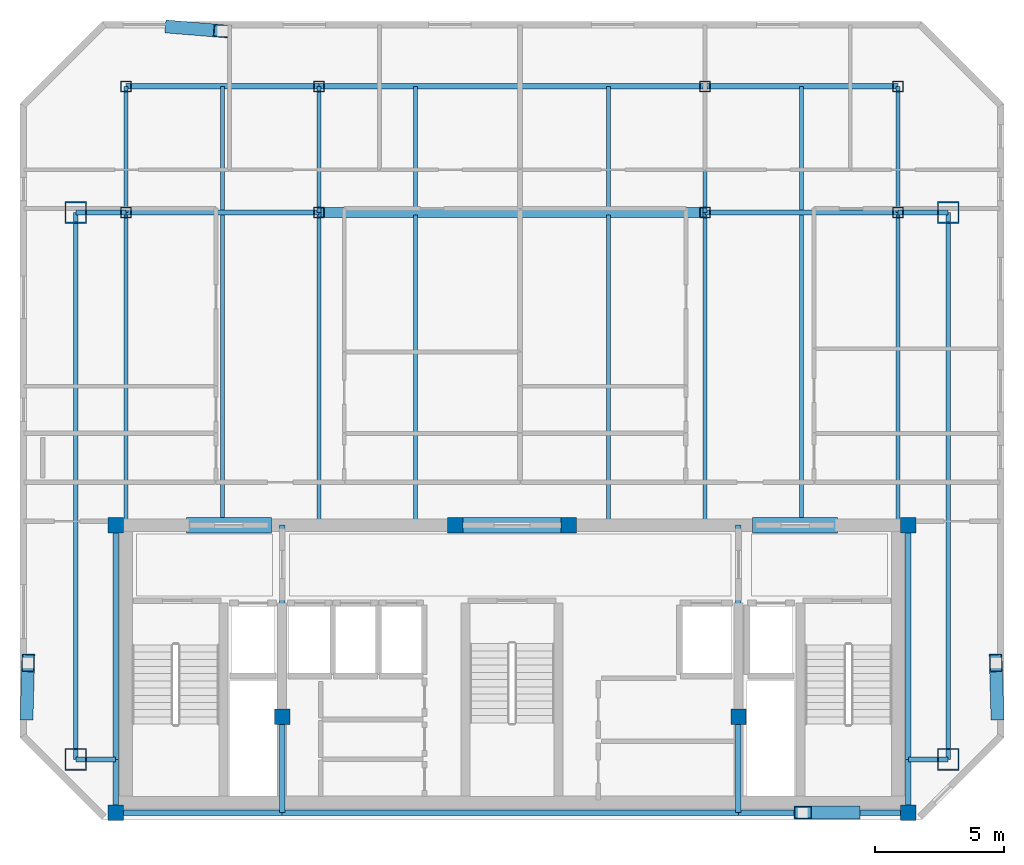
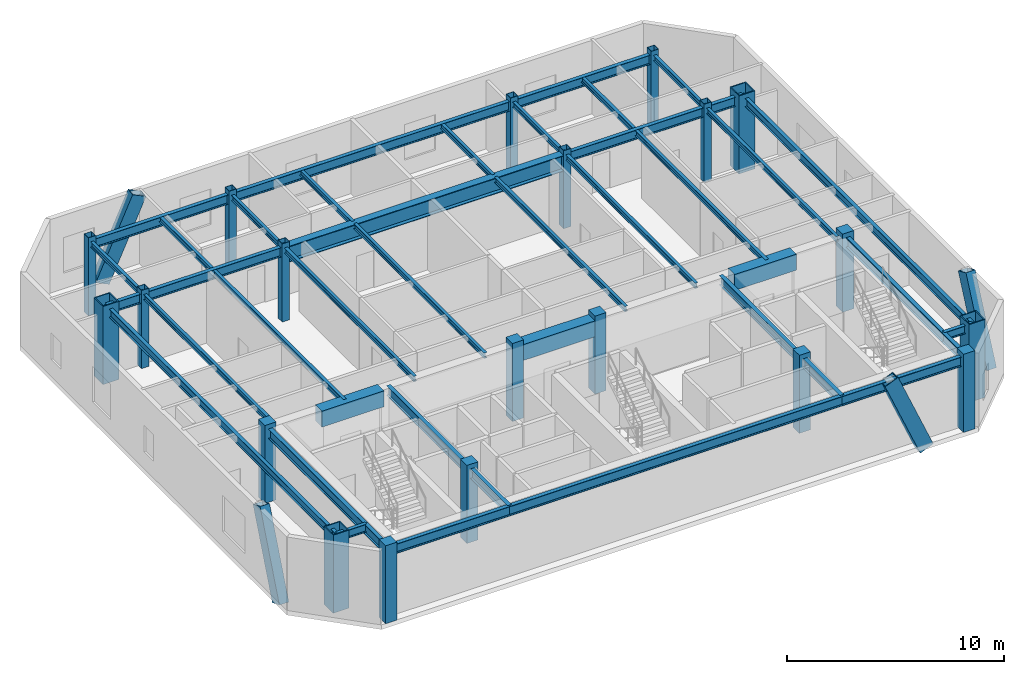
# One storey, part 1 of 7: 42 beams, 20 columns, 4 members.
"""IFC4 building model written with IfcOpenShell, lengths in metres."""

from ifc_helpers import new_model, si_unit, direction, frame, origin, origin_2d, place, context, subcontext, project, spatial, rectangle, hollow_rectangle, i_section, extrude, material, material_profile, profile_set, type_object, element, save


model = new_model("IFC4")

# Units and contexts
model_context = context("Model", 3, precision=1e-05, world=origin(), true_north=direction((0.0, 1.0)))
body_context = subcontext(model_context, "Body", "Model", "MODEL_VIEW")
ifc_project = project(units=[si_unit("LENGTHUNIT", "METRE"), si_unit("AREAUNIT", "SQUARE_METRE"), si_unit("VOLUMEUNIT", "CUBIC_METRE"), si_unit("PLANEANGLEUNIT", "RADIAN"), si_unit("MASSUNIT", "GRAM", prefix="KILO")], contexts=[model_context])

# Site, building, storey
site_placement = place(None, origin())
site = spatial("IfcSite", under=ifc_project, at=site_placement, CompositionType="ELEMENT")
building_placement = place(site_placement, origin())
building = spatial("IfcBuilding", under=site, at=building_placement, Name="Ventersveld Concourse Tower", CompositionType="ELEMENT")
storey_placement = place(building_placement, frame((0.0, 0.0, 353.449951171875)))
storey = spatial("IfcBuildingStorey", under=building, at=storey_placement, Name="L87", CompositionType="ELEMENT", Elevation=353.449951171875)

# Columns
ifc_material_1 = material(Name="Concrete C50/60", Category="concrete")
ifc_material_profile_1 = material_profile(ifc_material_1, rectangle(XDim=0.60009765625, YDim=0.60009765625, at=origin_2d()), Name="RC 600x600")
ifc_profile_set_1 = profile_set([ifc_material_profile_1], Name="Concrete C50/60")
column_type_1 = type_object("IfcColumnType", Name="COL-RC600", PredefinedType="COLUMN", material=ifc_profile_set_1)
for number, where, z_axis, x_axis, name in (
    (1, (13.35009765625, 0.280029296875, 0.0), (0.0, 0.0, 1.0), (1.0, 0.0, 0.0), "L87 Core Spine Column CC-SW"),
    (2, (44.14990234375, 0.280029296875, 0.0), (0.0, 0.0, 1.0), (1.0, 0.0, 0.0), "L87 Core Spine Column CC-SE"),
    (3, (13.35009765625, 11.449951171875, 0.0), (0.0, 0.0, 1.0), (1.0, 0.0, 0.0), "L87 Core Spine Column CC-NW"),
    (4, (44.14990234375, 11.449951171875, 0.0), (0.0, 0.0, 1.0), (1.0, 0.0, 0.0), "L87 Core Spine Column CC-NE"),
    (5, (19.820068359375, 4.0, 0.0), (0.0, 0.0, 1.0), (1.0, 0.0, 0.0), "L87 Core Spine Column CM-1"),
    (6, (37.550048828125, 4.0, 0.0), (0.0, 0.0, 1.0), (1.0, 0.0, 0.0), "L87 Core Spine Column CM-2"),
    (7, (26.550048828125, 11.449951171875, 0.0), (0.0, 0.0, 1.0), (1.0, 0.0, 0.0), "L87 Core Spine Column CM-3"),
    (8, (30.949951171875, 11.449951171875, 0.0), (0.0, 0.0, 1.0), (1.0, 0.0, 0.0), "L87 Core Spine Column CM-4"),
):
    element("IfcColumn", number, at=place(storey_placement, frame(where, z_axis=z_axis, x_axis=x_axis)), inside=storey, type_object=column_type_1, Name=name, PredefinedType="COLUMN", context=body_context, shape_type="SweptSolid", body=[
        extrude(rectangle(XDim=0.60009765625, YDim=0.60009765625, at=origin_2d()), origin(), (0.0, 0.0, 1.0), 4.400146484375),
    ])
ifc_material_2 = material(Name="Structural steel S355J2", Category="steel")
ifc_material_profile_2 = material_profile(ifc_material_2, hollow_rectangle(XDim=0.39990234375, YDim=0.39990234375, WallThickness=0.02001953125, at=origin_2d()), Name="SHS 400x400x20")
ifc_profile_set_2 = profile_set([ifc_material_profile_2], Name="Structural steel S355J2")
column_type_2 = type_object("IfcColumnType", Name="COL-SHS400", PredefinedType="COLUMN", material=ifc_profile_set_2)
for number, where, z_axis, x_axis, name in (
    (9, (13.75, 23.60009765625, 0.0), (0.0, 0.0, 1.0), (1.0, 0.0, 0.0), "L87 Interior Gravity Column X=13.75 Y=23.60"),
    (10, (21.25, 23.60009765625, 0.0), (0.0, 0.0, 1.0), (1.0, 0.0, 0.0), "L87 Interior Gravity Column X=21.25 Y=23.60"),
    (11, (36.25, 23.60009765625, 0.0), (0.0, 0.0, 1.0), (1.0, 0.0, 0.0), "L87 Interior Gravity Column X=36.25 Y=23.60"),
    (12, (43.75, 23.60009765625, 0.0), (0.0, 0.0, 1.0), (1.0, 0.0, 0.0), "L87 Interior Gravity Column X=43.75 Y=23.60"),
    (13, (13.75, 28.5, 0.0), (0.0, 0.0, 1.0), (1.0, 0.0, 0.0), "L87 Upper-North Gravity Column X=13.75 Y=28.50"),
    (14, (21.25, 28.5, 0.0), (0.0, 0.0, 1.0), (1.0, 0.0, 0.0), "L87 Upper-North Gravity Column X=21.25 Y=28.50"),
    (15, (36.25, 28.5, 0.0), (0.0, 0.0, 1.0), (1.0, 0.0, 0.0), "L87 Upper-North Gravity Column X=36.25 Y=28.50"),
    (16, (43.75, 28.5, 0.0), (0.0, 0.0, 1.0), (1.0, 0.0, 0.0), "L87 Upper-North Gravity Column X=43.75 Y=28.50"),
):
    element("IfcColumn", number, at=place(storey_placement, frame(where, z_axis=z_axis, x_axis=x_axis)), inside=storey, type_object=column_type_2, Name=name, PredefinedType="COLUMN", context=body_context, shape_type="SweptSolid", body=[
        extrude(hollow_rectangle(XDim=0.39990234375, YDim=0.39990234375, WallThickness=0.02001953125, at=origin_2d()), origin(), (0.0, 0.0, 1.0), 4.400146484375),
    ])
ifc_material_3 = material(Name="Structural steel S460ML", Category="steel")
ifc_material_profile_3 = material_profile(ifc_material_3, hollow_rectangle(XDim=0.85009765625, YDim=0.85009765625, WallThickness=0.050048828125, at=origin_2d()), Name="BOX 850x850x50")
ifc_profile_set_3 = profile_set([ifc_material_profile_3], Name="Structural steel S460ML")
column_type_3 = type_object("IfcColumnType", Name="MC-850", PredefinedType="USERDEFINED", material=ifc_profile_set_3)
for number, where, z_axis, x_axis, name in (
    (17, (11.800048828125, 2.35009765625, 0.0), (0.0, 0.0, 1.0), (1.0, 0.0, 0.0), "L87 Corner Mega-Column MC-SW"),
    (18, (45.699951171875, 2.35009765625, 0.0), (0.0, 0.0, 1.0), (1.0, 0.0, 0.0), "L87 Corner Mega-Column MC-SE"),
    (19, (45.699951171875, 23.60009765625, 0.0), (0.0, 0.0, 1.0), (1.0, 0.0, 0.0), "L87 Corner Mega-Column MC-NE"),
    (20, (11.800048828125, 23.60009765625, 0.0), (0.0, 0.0, 1.0), (1.0, 0.0, 0.0), "L87 Corner Mega-Column MC-NW"),
):
    element("IfcColumn", number, at=place(storey_placement, frame(where, z_axis=z_axis, x_axis=x_axis)), inside=storey, type_object=column_type_3, Name=name, ObjectType="MEGA_COLUMN", PredefinedType="USERDEFINED", context=body_context, shape_type="SweptSolid", body=[
        extrude(hollow_rectangle(XDim=0.85009765625, YDim=0.85009765625, WallThickness=0.050048828125, at=origin_2d()), origin(), (0.0, 0.0, 1.0), 4.400146484375),
    ])

# Beams
ifc_material_profile_4 = material_profile(ifc_material_2, i_section(OverallWidth=0.1650390625, OverallDepth=0.303466796875, WebThickness=0.006103515625, FlangeThickness=0.01025390625, FilletRadius=0.0087890625, at=origin_2d()), Name="UB 305x165x40")
ifc_profile_set_4 = profile_set([ifc_material_profile_4], Name="Structural steel S355J2")
beam_type_1 = type_object("IfcBeamType", Name="BM-UB305", PredefinedType="BEAM", material=ifc_profile_set_4)
beam_1_placement = place(storey_placement, frame((13.75, 11.449951171875, 3.98828125), z_axis=(0.0, 1.0, 0.0), x_axis=(-1.0, 0.0, 0.0)))
element("IfcBeam", 21, at=beam_1_placement, inside=storey, type_object=beam_type_1, Name="L87 N-S Composite Floor Beam South X=13.75", PredefinedType="BEAM", context=body_context, shape_type="SweptSolid", body=[
    extrude(i_section(OverallWidth=0.1650390625, OverallDepth=0.303466796875, WebThickness=0.006103515625, FlangeThickness=0.01025390625, FilletRadius=0.0087890625, at=origin_2d()), origin(), (0.0, 0.0, 1.0), 12.150146484375),
])
beam_2_placement = place(storey_placement, frame((13.75, 23.60009765625, 3.98828125), z_axis=(0.0, 1.0, 0.0), x_axis=(-1.0, 0.0, 0.0)))
element("IfcBeam", 22, at=beam_2_placement, inside=storey, type_object=beam_type_1, Name="L87 N-S Upper-Zone Floor Beam X=13.75", PredefinedType="BEAM", context=body_context, shape_type="SweptSolid", body=[
    extrude(i_section(OverallWidth=0.1650390625, OverallDepth=0.303466796875, WebThickness=0.006103515625, FlangeThickness=0.01025390625, FilletRadius=0.0087890625, at=origin_2d()), origin(), (0.0, 0.0, 1.0), 4.89990234375),
])
beam_3_placement = place(storey_placement, frame((17.5, 11.449951171875, 3.98828125), z_axis=(0.0, 1.0, 0.0), x_axis=(-1.0, 0.0, 0.0)))
element("IfcBeam", 23, at=beam_3_placement, inside=storey, type_object=beam_type_1, Name="L87 N-S Composite Floor Beam South X=17.50", PredefinedType="BEAM", context=body_context, shape_type="SweptSolid", body=[
    extrude(i_section(OverallWidth=0.1650390625, OverallDepth=0.303466796875, WebThickness=0.006103515625, FlangeThickness=0.01025390625, FilletRadius=0.0087890625, at=origin_2d()), origin(), (0.0, 0.0, 1.0), 12.054931640625),
])
beam_4_placement = place(storey_placement, frame((17.5, 23.695068359375, 3.98828125), z_axis=(0.0, 1.0, 0.0), x_axis=(-1.0, 0.0, 0.0)))
element("IfcBeam", 24, at=beam_4_placement, inside=storey, type_object=beam_type_1, Name="L87 N-S Upper-Zone Floor Beam X=17.50", PredefinedType="BEAM", context=body_context, shape_type="SweptSolid", body=[
    extrude(i_section(OverallWidth=0.1650390625, OverallDepth=0.303466796875, WebThickness=0.006103515625, FlangeThickness=0.01025390625, FilletRadius=0.0087890625, at=origin_2d()), origin(), (0.0, 0.0, 1.0), 4.804931640625),
])
beam_5_placement = place(storey_placement, frame((21.25, 11.449951171875, 3.98828125), z_axis=(0.0, 1.0, 0.0), x_axis=(-1.0, 0.0, 0.0)))
element("IfcBeam", 25, at=beam_5_placement, inside=storey, type_object=beam_type_1, Name="L87 N-S Composite Floor Beam South X=21.25", PredefinedType="BEAM", context=body_context, shape_type="SweptSolid", body=[
    extrude(i_section(OverallWidth=0.1650390625, OverallDepth=0.303466796875, WebThickness=0.006103515625, FlangeThickness=0.01025390625, FilletRadius=0.0087890625, at=origin_2d()), origin(), (0.0, 0.0, 1.0), 12.150146484375),
])
beam_6_placement = place(storey_placement, frame((21.25, 23.60009765625, 3.98828125), z_axis=(0.0, 1.0, 0.0), x_axis=(-1.0, 0.0, 0.0)))
element("IfcBeam", 26, at=beam_6_placement, inside=storey, type_object=beam_type_1, Name="L87 N-S Upper-Zone Floor Beam X=21.25", PredefinedType="BEAM", context=body_context, shape_type="SweptSolid", body=[
    extrude(i_section(OverallWidth=0.1650390625, OverallDepth=0.303466796875, WebThickness=0.006103515625, FlangeThickness=0.01025390625, FilletRadius=0.0087890625, at=origin_2d()), origin(), (0.0, 0.0, 1.0), 4.89990234375),
])
beam_7_placement = place(storey_placement, frame((25.0, 11.449951171875, 3.98828125), z_axis=(0.0, 1.0, 0.0), x_axis=(-1.0, 0.0, 0.0)))
element("IfcBeam", 27, at=beam_7_placement, inside=storey, type_object=beam_type_1, Name="L87 N-S Composite Floor Beam South X=25.00", PredefinedType="BEAM", context=body_context, shape_type="SweptSolid", body=[
    extrude(i_section(OverallWidth=0.1650390625, OverallDepth=0.303466796875, WebThickness=0.006103515625, FlangeThickness=0.01025390625, FilletRadius=0.0087890625, at=origin_2d()), origin(), (0.0, 0.0, 1.0), 12.054931640625),
])
beam_8_placement = place(storey_placement, frame((25.0, 23.695068359375, 3.98828125), z_axis=(0.0, 1.0, 0.0), x_axis=(-1.0, 0.0, 0.0)))
element("IfcBeam", 28, at=beam_8_placement, inside=storey, type_object=beam_type_1, Name="L87 N-S Upper-Zone Floor Beam X=25.00", PredefinedType="BEAM", context=body_context, shape_type="SweptSolid", body=[
    extrude(i_section(OverallWidth=0.1650390625, OverallDepth=0.303466796875, WebThickness=0.006103515625, FlangeThickness=0.01025390625, FilletRadius=0.0087890625, at=origin_2d()), origin(), (0.0, 0.0, 1.0), 4.804931640625),
])
beam_9_placement = place(storey_placement, frame((32.5, 11.449951171875, 3.98828125), z_axis=(0.0, 1.0, 0.0), x_axis=(-1.0, 0.0, 0.0)))
element("IfcBeam", 29, at=beam_9_placement, inside=storey, type_object=beam_type_1, Name="L87 N-S Composite Floor Beam South X=32.50", PredefinedType="BEAM", context=body_context, shape_type="SweptSolid", body=[
    extrude(i_section(OverallWidth=0.1650390625, OverallDepth=0.303466796875, WebThickness=0.006103515625, FlangeThickness=0.01025390625, FilletRadius=0.0087890625, at=origin_2d()), origin(), (0.0, 0.0, 1.0), 12.054931640625),
])
beam_10_placement = place(storey_placement, frame((32.5, 23.695068359375, 3.98828125), z_axis=(0.0, 1.0, 0.0), x_axis=(-1.0, 0.0, 0.0)))
element("IfcBeam", 30, at=beam_10_placement, inside=storey, type_object=beam_type_1, Name="L87 N-S Upper-Zone Floor Beam X=32.50", PredefinedType="BEAM", context=body_context, shape_type="SweptSolid", body=[
    extrude(i_section(OverallWidth=0.1650390625, OverallDepth=0.303466796875, WebThickness=0.006103515625, FlangeThickness=0.01025390625, FilletRadius=0.0087890625, at=origin_2d()), origin(), (0.0, 0.0, 1.0), 4.804931640625),
])
beam_11_placement = place(storey_placement, frame((36.25, 11.449951171875, 3.98828125), z_axis=(0.0, 1.0, 0.0), x_axis=(-1.0, 0.0, 0.0)))
element("IfcBeam", 31, at=beam_11_placement, inside=storey, type_object=beam_type_1, Name="L87 N-S Composite Floor Beam South X=36.25", PredefinedType="BEAM", context=body_context, shape_type="SweptSolid", body=[
    extrude(i_section(OverallWidth=0.1650390625, OverallDepth=0.303466796875, WebThickness=0.006103515625, FlangeThickness=0.01025390625, FilletRadius=0.0087890625, at=origin_2d()), origin(), (0.0, 0.0, 1.0), 12.150146484375),
])
beam_12_placement = place(storey_placement, frame((36.25, 23.60009765625, 3.98828125), z_axis=(0.0, 1.0, 0.0), x_axis=(-1.0, 0.0, 0.0)))
element("IfcBeam", 32, at=beam_12_placement, inside=storey, type_object=beam_type_1, Name="L87 N-S Upper-Zone Floor Beam X=36.25", PredefinedType="BEAM", context=body_context, shape_type="SweptSolid", body=[
    extrude(i_section(OverallWidth=0.1650390625, OverallDepth=0.303466796875, WebThickness=0.006103515625, FlangeThickness=0.01025390625, FilletRadius=0.0087890625, at=origin_2d()), origin(), (0.0, 0.0, 1.0), 4.89990234375),
])
beam_13_placement = place(storey_placement, frame((40.0, 11.449951171875, 3.98828125), z_axis=(0.0, 1.0, 0.0), x_axis=(-1.0, 0.0, 0.0)))
element("IfcBeam", 33, at=beam_13_placement, inside=storey, type_object=beam_type_1, Name="L87 N-S Composite Floor Beam South X=40.00", PredefinedType="BEAM", context=body_context, shape_type="SweptSolid", body=[
    extrude(i_section(OverallWidth=0.1650390625, OverallDepth=0.303466796875, WebThickness=0.006103515625, FlangeThickness=0.01025390625, FilletRadius=0.0087890625, at=origin_2d()), origin(), (0.0, 0.0, 1.0), 12.054931640625),
])
beam_14_placement = place(storey_placement, frame((40.0, 23.695068359375, 3.98828125), z_axis=(0.0, 1.0, 0.0), x_axis=(-1.0, 0.0, 0.0)))
element("IfcBeam", 34, at=beam_14_placement, inside=storey, type_object=beam_type_1, Name="L87 N-S Upper-Zone Floor Beam X=40.00", PredefinedType="BEAM", context=body_context, shape_type="SweptSolid", body=[
    extrude(i_section(OverallWidth=0.1650390625, OverallDepth=0.303466796875, WebThickness=0.006103515625, FlangeThickness=0.01025390625, FilletRadius=0.0087890625, at=origin_2d()), origin(), (0.0, 0.0, 1.0), 4.804931640625),
])
beam_15_placement = place(storey_placement, frame((43.75, 11.449951171875, 3.98828125), z_axis=(0.0, 1.0, 0.0), x_axis=(-1.0, 0.0, 0.0)))
element("IfcBeam", 35, at=beam_15_placement, inside=storey, type_object=beam_type_1, Name="L87 N-S Composite Floor Beam South X=43.75", PredefinedType="BEAM", context=body_context, shape_type="SweptSolid", body=[
    extrude(i_section(OverallWidth=0.1650390625, OverallDepth=0.303466796875, WebThickness=0.006103515625, FlangeThickness=0.01025390625, FilletRadius=0.0087890625, at=origin_2d()), origin(), (0.0, 0.0, 1.0), 12.150146484375),
])
beam_16_placement = place(storey_placement, frame((43.75, 23.60009765625, 3.98828125), z_axis=(0.0, 1.0, 0.0), x_axis=(-1.0, 0.0, 0.0)))
element("IfcBeam", 36, at=beam_16_placement, inside=storey, type_object=beam_type_1, Name="L87 N-S Upper-Zone Floor Beam X=43.75", PredefinedType="BEAM", context=body_context, shape_type="SweptSolid", body=[
    extrude(i_section(OverallWidth=0.1650390625, OverallDepth=0.303466796875, WebThickness=0.006103515625, FlangeThickness=0.01025390625, FilletRadius=0.0087890625, at=origin_2d()), origin(), (0.0, 0.0, 1.0), 4.89990234375),
])
ifc_material_profile_5 = material_profile(ifc_material_1, rectangle(XDim=0.60009765625, YDim=0.89990234375, at=origin_2d()), Name="RC 600x900")
ifc_profile_set_5 = profile_set([ifc_material_profile_5], Name="Concrete C50/60")
beam_type_2 = type_object("IfcBeamType", Name="CB-RC600x900U", PredefinedType="LINTEL", material=ifc_profile_set_5)
beam_17_placement = place(storey_placement, frame((16.10009765625, 11.449951171875, 3.68994140625), z_axis=(1.0, 0.0, 0.0), x_axis=(0.0, 1.0, 0.0)))
element("IfcBeam", 37, at=beam_17_placement, inside=storey, type_object=beam_type_2, Name="L87 Core Coupling Lintel Beam 1", PredefinedType="LINTEL", context=body_context, shape_type="SweptSolid", body=[
    extrude(rectangle(XDim=0.60009765625, YDim=0.89990234375, at=origin_2d()), origin(), (0.0, 0.0, 1.0), 3.2998046875),
])
beam_18_placement = place(storey_placement, frame((26.5, 11.449951171875, 3.68994140625), z_axis=(1.0, 0.0, 0.0), x_axis=(0.0, 1.0, 0.0)))
element("IfcBeam", 38, at=beam_18_placement, inside=storey, type_object=beam_type_2, Name="L87 Core Coupling Lintel Beam 2", PredefinedType="LINTEL", context=body_context, shape_type="SweptSolid", body=[
    extrude(rectangle(XDim=0.60009765625, YDim=0.89990234375, at=origin_2d()), origin(), (0.0, 0.0, 1.0), 4.5),
])
beam_19_placement = place(storey_placement, frame((38.10009765625, 11.449951171875, 3.68994140625), z_axis=(1.0, 0.0, 0.0), x_axis=(0.0, 1.0, 0.0)))
element("IfcBeam", 39, at=beam_19_placement, inside=storey, type_object=beam_type_2, Name="L87 Core Coupling Lintel Beam 3", PredefinedType="LINTEL", context=body_context, shape_type="SweptSolid", body=[
    extrude(rectangle(XDim=0.60009765625, YDim=0.89990234375, at=origin_2d()), origin(), (0.0, 0.0, 1.0), 3.2998046875),
])
ifc_material_profile_6 = material_profile(ifc_material_2, i_section(OverallWidth=0.39990234375, OverallDepth=0.89990234375, WebThickness=0.02197265625, FlangeThickness=0.035888671875, at=origin_2d()), Name="PG 900x400x36")
ifc_profile_set_6 = profile_set([ifc_material_profile_6], Name="Structural steel S355J2")
beam_type_3 = type_object("IfcBeamType", Name="GRD-PG900", PredefinedType="USERDEFINED", material=ifc_profile_set_6)
beam_20_placement = place(storey_placement, frame((21.25, 23.60009765625, 3.68994140625), z_axis=(1.0, 0.0, 0.0), x_axis=(0.0, 1.0, 0.0)))
element("IfcBeam", 40, at=beam_20_placement, inside=storey, type_object=beam_type_3, Name="L87 Primary E-W Grid Girder Y=23.60 #3", ObjectType="GIRDER", PredefinedType="USERDEFINED", context=body_context, shape_type="SweptSolid", body=[
    extrude(i_section(OverallWidth=0.39990234375, OverallDepth=0.89990234375, WebThickness=0.02197265625, FlangeThickness=0.035888671875, at=origin_2d()), origin(), (0.0, 0.0, 1.0), 15.0),
])
ifc_material_profile_7 = material_profile(ifc_material_2, i_section(OverallWidth=0.209228515625, OverallDepth=0.533203125, WebThickness=0.010009765625, FlangeThickness=0.015625, FilletRadius=0.0126953125, at=origin_2d()), Name="UB 533x210x92")
ifc_profile_set_7 = profile_set([ifc_material_profile_7], Name="Structural steel S355J2")
beam_type_4 = type_object("IfcBeamType", Name="GRD-UB533", PredefinedType="T_BEAM", material=ifc_profile_set_7)
beam_21_placement = place(storey_placement, frame((11.800048828125, 23.60009765625, 3.87353515625), z_axis=(1.0, 0.0, 0.0), x_axis=(0.0, 1.0, 0.0)))
element("IfcBeam", 41, at=beam_21_placement, inside=storey, type_object=beam_type_4, Name="L87 Primary E-W Grid Girder Y=23.60 #1", PredefinedType="T_BEAM", context=body_context, shape_type="SweptSolid", body=[
    extrude(i_section(OverallWidth=0.209228515625, OverallDepth=0.533203125, WebThickness=0.010009765625, FlangeThickness=0.015625, FilletRadius=0.0126953125, at=origin_2d()), origin(), (0.0, 0.0, 1.0), 1.949951171875),
])
for number, where, z_axis, x_axis, name in (
    (42, (13.75, 23.60009765625, 3.87353515625), (1.0, 0.0, 0.0), (0.0, 1.0, 0.0), "L87 Primary E-W Grid Girder Y=23.60 #2"),
    (43, (36.25, 23.60009765625, 3.87353515625), (1.0, 0.0, 0.0), (0.0, 1.0, 0.0), "L87 Primary E-W Grid Girder Y=23.60 #4"),
):
    element("IfcBeam", number, at=place(storey_placement, frame(where, z_axis=z_axis, x_axis=x_axis)), inside=storey, type_object=beam_type_4, Name=name, PredefinedType="T_BEAM", context=body_context, shape_type="SweptSolid", body=[
        extrude(i_section(OverallWidth=0.209228515625, OverallDepth=0.533203125, WebThickness=0.010009765625, FlangeThickness=0.015625, FilletRadius=0.0126953125, at=origin_2d()), origin(), (0.0, 0.0, 1.0), 7.5),
    ])
beam_22_placement = place(storey_placement, frame((43.75, 23.60009765625, 3.87353515625), z_axis=(1.0, 0.0, 0.0), x_axis=(0.0, 1.0, 0.0)))
element("IfcBeam", 44, at=beam_22_placement, inside=storey, type_object=beam_type_4, Name="L87 Primary E-W Grid Girder Y=23.60 #5", PredefinedType="T_BEAM", context=body_context, shape_type="SweptSolid", body=[
    extrude(i_section(OverallWidth=0.209228515625, OverallDepth=0.533203125, WebThickness=0.010009765625, FlangeThickness=0.015625, FilletRadius=0.0126953125, at=origin_2d()), origin(), (0.0, 0.0, 1.0), 1.949951171875),
])
beam_23_placement = place(storey_placement, frame((13.75, 28.5, 3.87353515625), z_axis=(1.0, 0.0, 0.0), x_axis=(0.0, 1.0, 0.0)))
element("IfcBeam", 45, at=beam_23_placement, inside=storey, type_object=beam_type_4, Name="L87 Upper-North E-W Girder Y=28.50 #1", PredefinedType="T_BEAM", context=body_context, shape_type="SweptSolid", body=[
    extrude(i_section(OverallWidth=0.209228515625, OverallDepth=0.533203125, WebThickness=0.010009765625, FlangeThickness=0.015625, FilletRadius=0.0126953125, at=origin_2d()), origin(), (0.0, 0.0, 1.0), 7.5),
])
beam_24_placement = place(storey_placement, frame((21.25, 28.5, 3.87353515625), z_axis=(1.0, 0.0, 0.0), x_axis=(0.0, 1.0, 0.0)))
element("IfcBeam", 46, at=beam_24_placement, inside=storey, type_object=beam_type_4, Name="L87 Upper-North E-W Girder Y=28.50 #2", PredefinedType="T_BEAM", context=body_context, shape_type="SweptSolid", body=[
    extrude(i_section(OverallWidth=0.209228515625, OverallDepth=0.533203125, WebThickness=0.010009765625, FlangeThickness=0.015625, FilletRadius=0.0126953125, at=origin_2d()), origin(), (0.0, 0.0, 1.0), 15.0),
])
beam_25_placement = place(storey_placement, frame((36.25, 28.5, 3.87353515625), z_axis=(1.0, 0.0, 0.0), x_axis=(0.0, 1.0, 0.0)))
element("IfcBeam", 47, at=beam_25_placement, inside=storey, type_object=beam_type_4, Name="L87 Upper-North E-W Girder Y=28.50 #3", PredefinedType="T_BEAM", context=body_context, shape_type="SweptSolid", body=[
    extrude(i_section(OverallWidth=0.209228515625, OverallDepth=0.533203125, WebThickness=0.010009765625, FlangeThickness=0.015625, FilletRadius=0.0126953125, at=origin_2d()), origin(), (0.0, 0.0, 1.0), 7.5),
])
ifc_material_profile_8 = material_profile(ifc_material_2, i_section(OverallWidth=0.2119140625, OverallDepth=0.54443359375, WebThickness=0.0126953125, FlangeThickness=0.021240234375, FilletRadius=0.0126953125, at=origin_2d()), Name="UB 533x210x122")
ifc_profile_set_8 = profile_set([ifc_material_profile_8], Name="Structural steel S355J2")
beam_type_5 = type_object("IfcBeamType", Name="GRD-UB533H", PredefinedType="T_BEAM", material=ifc_profile_set_8)
beam_26_placement = place(storey_placement, frame((13.35009765625, 0.280029296875, 3.86767578125), z_axis=(0.0, 1.0, 0.0), x_axis=(-1.0, 0.0, 0.0)))
element("IfcBeam", 48, at=beam_26_placement, inside=storey, type_object=beam_type_5, Name="L87 Core West Tie Beam S", PredefinedType="T_BEAM", context=body_context, shape_type="SweptSolid", body=[
    extrude(i_section(OverallWidth=0.2119140625, OverallDepth=0.54443359375, WebThickness=0.0126953125, FlangeThickness=0.021240234375, FilletRadius=0.0126953125, at=origin_2d()), origin(), (0.0, 0.0, 1.0), 2.070068359375),
])
beam_27_placement = place(storey_placement, frame((13.35009765625, 2.35009765625, 3.86767578125), z_axis=(0.0, 1.0, 0.0), x_axis=(-1.0, 0.0, 0.0)))
element("IfcBeam", 49, at=beam_27_placement, inside=storey, type_object=beam_type_5, Name="L87 Core West Tie Beam N", PredefinedType="T_BEAM", context=body_context, shape_type="SweptSolid", body=[
    extrude(i_section(OverallWidth=0.2119140625, OverallDepth=0.54443359375, WebThickness=0.0126953125, FlangeThickness=0.021240234375, FilletRadius=0.0126953125, at=origin_2d()), origin(), (0.0, 0.0, 1.0), 9.099853515625),
])
beam_28_placement = place(storey_placement, frame((44.14990234375, 0.280029296875, 3.86767578125), z_axis=(0.0, 1.0, 0.0), x_axis=(-1.0, 0.0, 0.0)))
element("IfcBeam", 50, at=beam_28_placement, inside=storey, type_object=beam_type_5, Name="L87 Core East Tie Beam S", PredefinedType="T_BEAM", context=body_context, shape_type="SweptSolid", body=[
    extrude(i_section(OverallWidth=0.2119140625, OverallDepth=0.54443359375, WebThickness=0.0126953125, FlangeThickness=0.021240234375, FilletRadius=0.0126953125, at=origin_2d()), origin(), (0.0, 0.0, 1.0), 2.070068359375),
])
beam_29_placement = place(storey_placement, frame((44.14990234375, 2.35009765625, 3.86767578125), z_axis=(0.0, 1.0, 0.0), x_axis=(-1.0, 0.0, 0.0)))
element("IfcBeam", 51, at=beam_29_placement, inside=storey, type_object=beam_type_5, Name="L87 Core East Tie Beam N", PredefinedType="T_BEAM", context=body_context, shape_type="SweptSolid", body=[
    extrude(i_section(OverallWidth=0.2119140625, OverallDepth=0.54443359375, WebThickness=0.0126953125, FlangeThickness=0.021240234375, FilletRadius=0.0126953125, at=origin_2d()), origin(), (0.0, 0.0, 1.0), 9.099853515625),
])
beam_30_placement = place(storey_placement, frame((13.35009765625, 0.280029296875, 3.86767578125), z_axis=(1.0, 0.0, 0.0), x_axis=(0.0, 1.0, 0.0)))
element("IfcBeam", 52, at=beam_30_placement, inside=storey, type_object=beam_type_5, Name="L87 Core South Tie Beam W", PredefinedType="T_BEAM", context=body_context, shape_type="SweptSolid", body=[
    extrude(i_section(OverallWidth=0.2119140625, OverallDepth=0.54443359375, WebThickness=0.0126953125, FlangeThickness=0.021240234375, FilletRadius=0.0126953125, at=origin_2d()), origin(), (0.0, 0.0, 1.0), 6.469970703125),
])
beam_31_placement = place(storey_placement, frame((19.820068359375, 0.280029296875, 3.86767578125), z_axis=(1.0, 0.0, 0.0), x_axis=(0.0, 1.0, 0.0)))
element("IfcBeam", 53, at=beam_31_placement, inside=storey, type_object=beam_type_5, Name="L87 Core South Tie Beam C", PredefinedType="T_BEAM", context=body_context, shape_type="SweptSolid", body=[
    extrude(i_section(OverallWidth=0.2119140625, OverallDepth=0.54443359375, WebThickness=0.0126953125, FlangeThickness=0.021240234375, FilletRadius=0.0126953125, at=origin_2d()), origin(), (0.0, 0.0, 1.0), 17.72998046875),
])
beam_32_placement = place(storey_placement, frame((37.550048828125, 0.280029296875, 3.86767578125), z_axis=(1.0, 0.0, 0.0), x_axis=(0.0, 1.0, 0.0)))
element("IfcBeam", 54, at=beam_32_placement, inside=storey, type_object=beam_type_5, Name="L87 Core South Tie Beam E", PredefinedType="T_BEAM", context=body_context, shape_type="SweptSolid", body=[
    extrude(i_section(OverallWidth=0.2119140625, OverallDepth=0.54443359375, WebThickness=0.0126953125, FlangeThickness=0.021240234375, FilletRadius=0.0126953125, at=origin_2d()), origin(), (0.0, 0.0, 1.0), 6.599853515625),
])
beam_33_placement = place(storey_placement, frame((19.820068359375, 0.280029296875, 3.86767578125), z_axis=(0.0, 1.0, 0.0), x_axis=(-1.0, 0.0, 0.0)))
element("IfcBeam", 55, at=beam_33_placement, inside=storey, type_object=beam_type_5, Name="L87 Core Spine N-S Tie Beam W1", PredefinedType="T_BEAM", context=body_context, shape_type="SweptSolid", body=[
    extrude(i_section(OverallWidth=0.2119140625, OverallDepth=0.54443359375, WebThickness=0.0126953125, FlangeThickness=0.021240234375, FilletRadius=0.0126953125, at=origin_2d()), origin(), (0.0, 0.0, 1.0), 3.719970703125),
])
beam_34_placement = place(storey_placement, frame((19.820068359375, 4.0, 3.86767578125), z_axis=(0.0, 1.0, 0.0), x_axis=(-1.0, 0.0, 0.0)))
element("IfcBeam", 56, at=beam_34_placement, inside=storey, type_object=beam_type_5, Name="L87 Core Spine N-S Tie Beam W2", PredefinedType="T_BEAM", context=body_context, shape_type="SweptSolid", body=[
    extrude(i_section(OverallWidth=0.2119140625, OverallDepth=0.54443359375, WebThickness=0.0126953125, FlangeThickness=0.021240234375, FilletRadius=0.0126953125, at=origin_2d()), origin(), (0.0, 0.0, 1.0), 7.449951171875),
])
beam_35_placement = place(storey_placement, frame((37.550048828125, 0.280029296875, 3.86767578125), z_axis=(0.0, 1.0, 0.0), x_axis=(-1.0, 0.0, 0.0)))
element("IfcBeam", 57, at=beam_35_placement, inside=storey, type_object=beam_type_5, Name="L87 Core Spine N-S Tie Beam E1", PredefinedType="T_BEAM", context=body_context, shape_type="SweptSolid", body=[
    extrude(i_section(OverallWidth=0.2119140625, OverallDepth=0.54443359375, WebThickness=0.0126953125, FlangeThickness=0.021240234375, FilletRadius=0.0126953125, at=origin_2d()), origin(), (0.0, 0.0, 1.0), 3.719970703125),
])
beam_36_placement = place(storey_placement, frame((37.550048828125, 4.0, 3.86767578125), z_axis=(0.0, 1.0, 0.0), x_axis=(-1.0, 0.0, 0.0)))
element("IfcBeam", 58, at=beam_36_placement, inside=storey, type_object=beam_type_5, Name="L87 Core Spine N-S Tie Beam E2", PredefinedType="T_BEAM", context=body_context, shape_type="SweptSolid", body=[
    extrude(i_section(OverallWidth=0.2119140625, OverallDepth=0.54443359375, WebThickness=0.0126953125, FlangeThickness=0.021240234375, FilletRadius=0.0126953125, at=origin_2d()), origin(), (0.0, 0.0, 1.0), 7.449951171875),
])

# Members
ifc_material_4 = material(Name="Structural steel S355ML", Category="steel")
ifc_material_profile_9 = material_profile(ifc_material_4, hollow_rectangle(XDim=0.5, YDim=0.75, WallThickness=0.034912109375, at=origin_2d()), Name="BOX 750x500x35")
ifc_profile_set_9 = profile_set([ifc_material_profile_9], Name="Structural steel S355ML")
member_type = type_object("IfcMemberType", Name="MB-750x500", PredefinedType="BRACE", material=ifc_profile_set_9)
member_1_placement = place(storey_placement, frame((15.625, 30.802734375, -0.260009765625), z_axis=(0.391811057612, -0.032242784949, 0.919480558768), x_axis=(0.082014437678, 0.996631141402, 0.0)))
element("IfcMember", 59, at=member_1_placement, inside=storey, type_object=member_type, Name="L87 Exterior Mega-Brace N (Module M21)", PredefinedType="BRACE", context=body_context, shape_type="SweptSolid", body=[
    extrude(hollow_rectangle(XDim=0.5, YDim=0.75, WallThickness=0.034912109375, at=origin_2d()), origin(), (0.0, 0.0, 1.0), 4.785400390625),
])
member_2_placement = place(storey_placement, frame((41.925048828125, 0.280029296875, -0.260009765625), z_axis=(-0.39201487938, 0.0, 0.919958876442), x_axis=(0.0, -1.0, 0.0)))
element("IfcMember", 60, at=member_2_placement, inside=storey, type_object=member_type, Name="L87 Exterior Mega-Brace S (Module M21)", PredefinedType="BRACE", context=body_context, shape_type="SweptSolid", body=[
    extrude(hollow_rectangle(XDim=0.5, YDim=0.75, WallThickness=0.034912109375, at=origin_2d()), origin(), (0.0, 0.0, 1.0), 4.782958984375),
])
for number, where, z_axis, x_axis, name in (
    (61, (9.89501953125, 4.22509765625, -0.260009765625), (0.011126816843, 0.391990611722, 0.91990192644), (-0.999597377348, 0.028373988055, 0.0), "L87 Exterior Mega-Brace W (Module M21)"),
    (62, (47.60498046875, 4.22509765625, -0.260009765625), (-0.011177850925, 0.391990388593, 0.919901402814), (-0.999593677347, -0.028504038456, 0.0), "L87 Exterior Mega-Brace E (Module M21)"),
):
    element("IfcMember", number, at=place(storey_placement, frame(where, z_axis=z_axis, x_axis=x_axis)), inside=storey, type_object=member_type, Name=name, PredefinedType="BRACE", context=body_context, shape_type="SweptSolid", body=[
        extrude(hollow_rectangle(XDim=0.5, YDim=0.75, WallThickness=0.034912109375, at=origin_2d()), origin(), (0.0, 0.0, 1.0), 4.783203125),
    ])

# Beams
ifc_material_profile_10 = material_profile(ifc_material_2, i_section(OverallWidth=0.19140625, OverallDepth=0.4599609375, WebThickness=0.010009765625, FlangeThickness=0.01611328125, FilletRadius=0.01025390625, at=origin_2d()), Name="UB 457x191x82")
ifc_profile_set_10 = profile_set([ifc_material_profile_10], Name="Structural steel S355J2")
beam_type_6 = type_object("IfcBeamType", Name="SPD-UB457", PredefinedType="SPANDREL", material=ifc_profile_set_10)
for number, where, z_axis, x_axis, name in (
    (63, (11.800048828125, 2.35009765625, 3.91015625), (1.0, 0.0, 0.0), (0.0, 1.0, 0.0), "L87 SW Spandrel Beam"),
    (64, (44.14990234375, 2.35009765625, 3.91015625), (1.0, 0.0, 0.0), (0.0, 1.0, 0.0), "L87 SE Spandrel Beam"),
):
    element("IfcBeam", number, at=place(storey_placement, frame(where, z_axis=z_axis, x_axis=x_axis)), inside=storey, type_object=beam_type_6, Name=name, PredefinedType="SPANDREL", context=body_context, shape_type="SweptSolid", body=[
        extrude(i_section(OverallWidth=0.19140625, OverallDepth=0.4599609375, WebThickness=0.010009765625, FlangeThickness=0.01611328125, FilletRadius=0.01025390625, at=origin_2d()), origin(), (0.0, 0.0, 1.0), 1.550048828125),
    ])
for number, where, z_axis, x_axis, name in (
    (65, (11.800048828125, 2.35009765625, 3.91015625), (0.0, 1.0, 0.0), (-1.0, 0.0, 0.0), "L87 West Spandrel Beam"),
    (66, (45.699951171875, 2.35009765625, 3.91015625), (0.0, 1.0, 0.0), (-1.0, 0.0, 0.0), "L87 East Spandrel Beam"),
):
    element("IfcBeam", number, at=place(storey_placement, frame(where, z_axis=z_axis, x_axis=x_axis)), inside=storey, type_object=beam_type_6, Name=name, PredefinedType="SPANDREL", context=body_context, shape_type="SweptSolid", body=[
        extrude(i_section(OverallWidth=0.19140625, OverallDepth=0.4599609375, WebThickness=0.010009765625, FlangeThickness=0.01611328125, FilletRadius=0.01025390625, at=origin_2d()), origin(), (0.0, 0.0, 1.0), 21.25),
    ])

save(model, "model.ifc")
